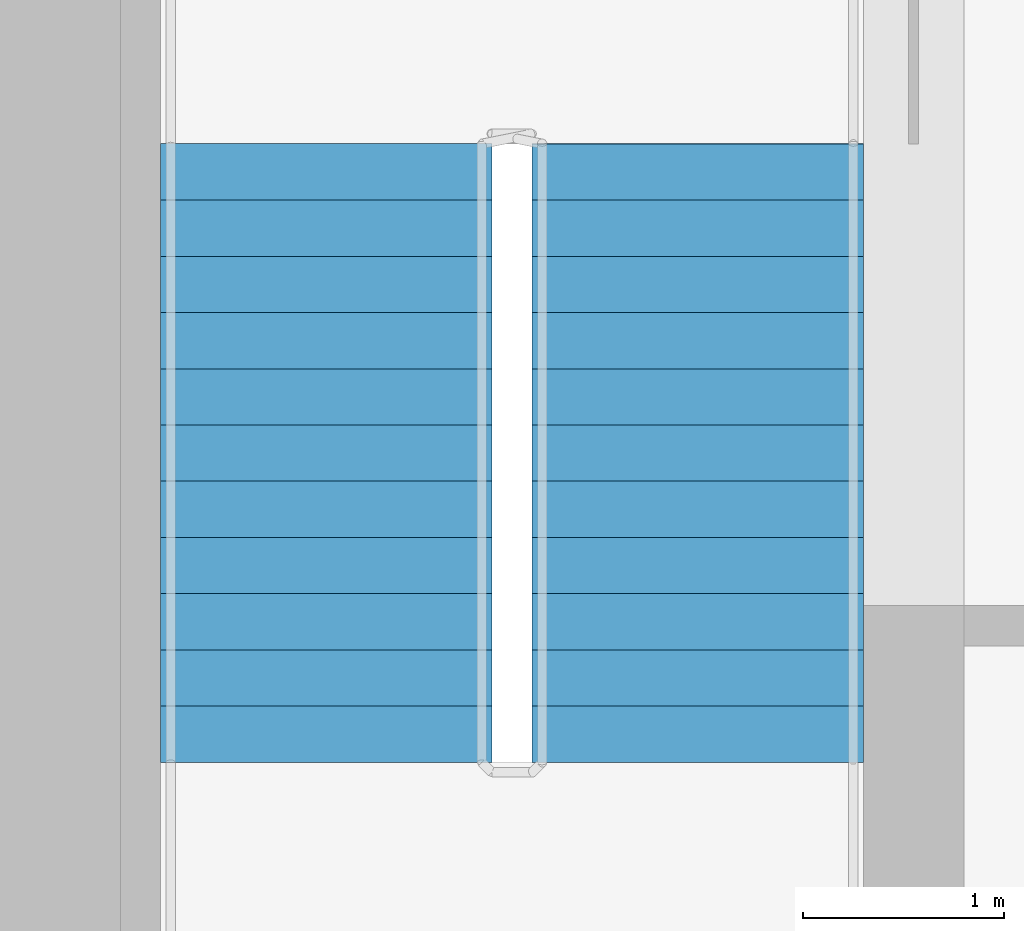
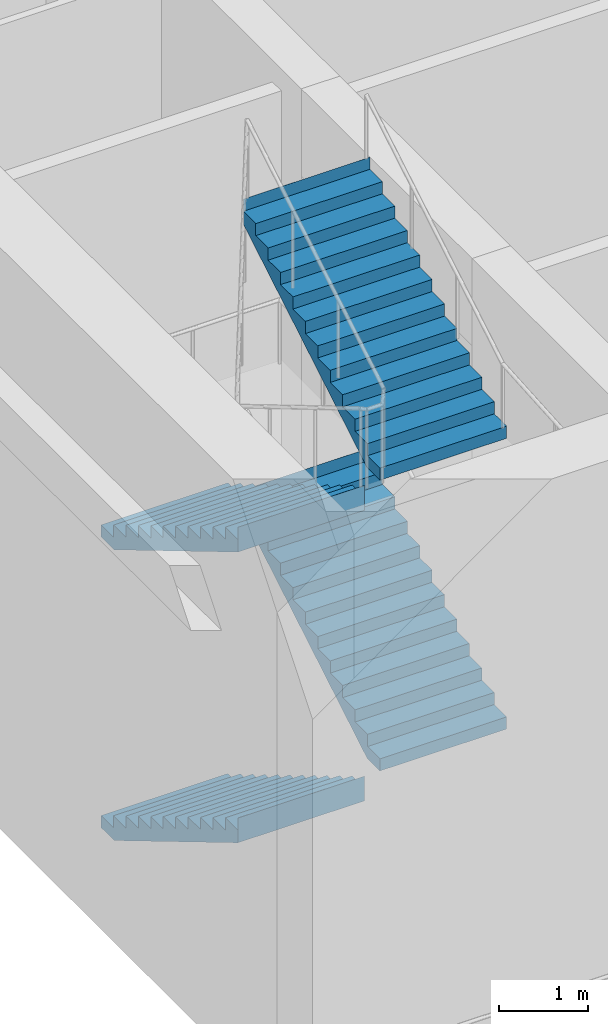
# One storey, part 5 of 12: 4 stair flights, 1 element without a shape of its own.
"""IFC4 building model written with IfcOpenShell, lengths in metres."""

from ifc_helpers import new_model, si_unit, direction, frame, origin, place, context, subcontext, project, spatial, polyline, outline, extrude, material, type_object, element, aggregate, save


model = new_model("IFC4")

# Units and contexts
model_context = context("Model", 3, precision=1e-05, world=origin(), true_north=direction((0.0, 1.0)))
body_context = subcontext(model_context, "Body", "Model", "MODEL_VIEW")
ifc_project = project(units=[si_unit("LENGTHUNIT", "METRE"), si_unit("AREAUNIT", "SQUARE_METRE"), si_unit("VOLUMEUNIT", "CUBIC_METRE"), si_unit("PLANEANGLEUNIT", "RADIAN"), si_unit("MASSUNIT", "GRAM", prefix="KILO")], contexts=[model_context])

# Site, building, storey
site_placement = place(None, origin())
site = spatial("IfcSite", under=ifc_project, at=site_placement, CompositionType="ELEMENT")
building_placement = place(site_placement, origin())
building = spatial("IfcBuilding", under=site, at=building_placement, Name="Tamorin Gate", CompositionType="ELEMENT")
storey_placement = place(building_placement, frame((0.0, 0.0, 166.199951171875)))
storey = spatial("IfcBuildingStorey", under=building, at=storey_placement, Name="L41", CompositionType="ELEMENT", Elevation=166.199951171875)

# Stair, stair flights
ifc_material = material(Name="Concrete C40/50", Category="concrete")
stair_type = type_object("IfcStairType", Name="Exit stair", PredefinedType="HALF_TURN_STAIR", material=ifc_material)
stair_placement = place(storey_placement, origin())
stair = element("IfcStair", 1, at=stair_placement, inside=storey, type_object=stair_type, Name="L41 stair ST1", PredefinedType="HALF_TURN_STAIR")
stair_flight_type = type_object("IfcStairFlightType", Name="Exit stair flight", PredefinedType="STRAIGHT", material=ifc_material)
stair_flight_1_placement = place(storey_placement, frame((31.824951171875, 66.5, 0.0), z_axis=(0.0, 0.0, 1.0), x_axis=(0.0, -1.0, 0.0)))
stair_flight_1 = element("IfcStairFlight", 2, at=stair_flight_1_placement, type_object=stair_flight_type, Name="ST1 flight 1", NumberOfRisers=12, NumberOfTreads=11, PredefinedType="STRAIGHT", RiserHeight=0.166666667, TreadLength=0.28, context=body_context, shape_type="SweptSolid", body=[
    extrude(outline(polyline([(-0.00048828125, 0.0), (-0.00048828125, 0.001708984375), (-0.00048828125, 0.00341796875), (-0.00048828125, 0.0048828125), (-0.00048828125, 0.006591796875), (-0.00048828125, 0.00830078125), (-0.00048828125, 0.010009765625), (-0.00048828125, 0.011474609375), (-0.00048828125, 0.01318359375), (-0.00048828125, 0.014892578125), (-0.00048828125, 0.0166015625), (-0.00048828125, 0.01806640625), (-0.00048828125, 0.019775390625), (-0.00048828125, 0.021484375), (-0.00048828125, 0.023193359375), (-0.00048828125, 0.024658203125), (-0.00048828125, 0.0263671875), (-0.00048828125, 0.028076171875), (-0.00048828125, 0.02978515625), (-0.00048828125, 0.03125), (-0.00048828125, 0.032958984375), (-0.00048828125, 0.03466796875), (-0.00048828125, 0.036376953125), (-0.00048828125, 0.037841796875), (-0.00048828125, 0.03955078125), (-0.00048828125, 0.041259765625), (-0.00048828125, 0.04296875), (-0.00048828125, 0.04443359375), (-0.00048828125, 0.046142578125), (-0.00048828125, 0.0478515625), (-0.00048828125, 0.049560546875), (-0.00048828125, 0.05126953125), (-0.00048828125, 0.052734375), (-0.00048828125, 0.054443359375), (-0.00048828125, 0.05615234375), (-0.00048828125, 0.057861328125), (-0.00048828125, 0.059326171875), (-0.00048828125, 0.06103515625), (-0.00048828125, 0.062744140625), (-0.00048828125, 0.064453125), (-0.00048828125, 0.06591796875), (-0.00048828125, 0.067626953125), (-0.00048828125, 0.0693359375), (-0.00048828125, 0.071044921875), (-0.00048828125, 0.072509765625), (-0.00048828125, 0.07421875), (-0.00048828125, 0.075927734375), (-0.00048828125, 0.07763671875), (-0.00048828125, 0.0791015625), (-0.00048828125, 0.080810546875), (-0.00048828125, 0.08251953125), (-0.00048828125, 0.084228515625), (-0.00048828125, 0.085693359375), (-0.00048828125, 0.08740234375), (-0.00048828125, 0.089111328125), (-0.00048828125, 0.0908203125), (-0.00048828125, 0.092529296875), (-0.00048828125, 0.093994140625), (-0.00048828125, 0.095703125), (-0.00048828125, 0.097412109375), (-0.00048828125, 0.09912109375), (-0.00048828125, 0.1005859375), (-0.00048828125, 0.102294921875), (-0.00048828125, 0.10400390625), (-0.00048828125, 0.105712890625), (-0.00048828125, 0.107177734375), (-0.00048828125, 0.10888671875), (-0.00048828125, 0.110595703125), (-0.00048828125, 0.1123046875), (-0.00048828125, 0.11376953125), (-0.00048828125, 0.115478515625), (-0.00048828125, 0.1171875), (-0.00048828125, 0.118896484375), (-0.00048828125, 0.120361328125), (-0.00048828125, 0.1220703125), (-0.00048828125, 0.123779296875), (-0.00048828125, 0.12548828125), (-0.00048828125, 0.126953125), (-0.00048828125, 0.128662109375), (-0.00048828125, 0.13037109375), (-0.00048828125, 0.132080078125), (-0.00048828125, 0.133544921875), (-0.00048828125, 0.13525390625), (-0.00048828125, 0.136962890625), (-0.00048828125, 0.138671875), (-0.00048828125, 0.140380859375), (-0.00048828125, 0.141845703125), (-0.00048828125, 0.1435546875), (-0.00048828125, 0.145263671875), (-0.00048828125, 0.14697265625), (-0.00048828125, 0.1484375), (-0.00048828125, 0.150146484375), (-0.00048828125, 0.15185546875), (-0.00048828125, 0.153564453125), (-0.00048828125, 0.155029296875), (-0.00048828125, 0.15673828125), (-0.00048828125, 0.158447265625), (-0.00048828125, 0.16015625), (-0.00048828125, 0.16162109375), (-0.00048828125, 0.163330078125), (-0.00048828125, 0.1650390625), (-0.00048828125, 0.166748046875), (0.280029296875, 0.166748046875), (0.280029296875, 0.333251953125), (0.56005859375, 0.333251953125), (0.56005859375, 0.5), (0.840087890625, 0.5), (0.840087890625, 0.666748046875), (1.1201171875, 0.666748046875), (1.1201171875, 0.833251953125), (1.39990234375, 0.833251953125), (1.39990234375, 1.0), (1.679931640625, 1.0), (1.679931640625, 1.166748046875), (1.9599609375, 1.166748046875), (1.9599609375, 1.333251953125), (2.239990234375, 1.333251953125), (2.239990234375, 1.5), (2.52001953125, 1.5), (2.52001953125, 1.666748046875), (2.800048828125, 1.666748046875), (2.800048828125, 1.833251953125), (3.080078125, 1.833251953125), (3.080078125, 2.0), (3.08056640625, 2.0), (3.08056640625, 1.99658203125), (3.08056640625, 1.9931640625), (3.08056640625, 1.98974609375), (3.08056640625, 1.986572265625), (3.08056640625, 1.983154296875), (3.08056640625, 1.979736328125), (3.08056640625, 1.976318359375), (3.08056640625, 1.972900390625), (3.08056640625, 1.969482421875), (3.08056640625, 1.96630859375), (3.08056640625, 1.962890625), (3.08056640625, 1.95947265625), (3.08056640625, 1.9560546875), (3.08056640625, 1.95263671875), (3.08056640625, 1.94921875), (3.08056640625, 1.946044921875), (3.08056640625, 1.942626953125), (3.08056640625, 1.939208984375), (3.08056640625, 1.935791015625), (3.08056640625, 1.932373046875), (3.08056640625, 1.928955078125), (3.08056640625, 1.92578125), (3.08056640625, 1.92236328125), (3.08056640625, 1.9189453125), (3.08056640625, 1.91552734375), (3.08056640625, 1.912109375), (3.08056640625, 1.90869140625), (3.08056640625, 1.905517578125), (3.08056640625, 1.902099609375), (3.08056640625, 1.898681640625), (3.08056640625, 1.895263671875), (3.08056640625, 1.891845703125), (3.08056640625, 1.888427734375), (3.08056640625, 1.88525390625), (3.08056640625, 1.8818359375), (3.08056640625, 1.87841796875), (3.08056640625, 1.875), (3.08056640625, 1.87158203125), (3.08056640625, 1.8681640625), (3.08056640625, 1.864990234375), (3.08056640625, 1.861572265625), (3.08056640625, 1.858154296875), (3.08056640625, 1.854736328125), (3.08056640625, 1.851318359375), (3.08056640625, 1.847900390625), (3.08056640625, 1.8447265625), (3.08056640625, 1.84130859375), (3.08056640625, 1.837890625), (3.08056640625, 1.83447265625), (3.08056640625, 1.8310546875), (3.08056640625, 1.82763671875), (3.08056640625, 1.824462890625), (3.08056640625, 1.821044921875), (3.08056640625, 1.817626953125), (3.08056640625, 1.814208984375), (3.08056640625, 1.810791015625), (3.08056640625, 1.807373046875), (3.08056640625, 1.80419921875), (3.08056640625, 1.80078125), (3.08056640625, 1.79736328125), (3.08056640625, 1.7939453125), (3.08056640625, 1.79052734375), (3.08056640625, 1.787109375), (3.08056640625, 1.783935546875), (3.08056640625, 1.780517578125), (3.08056640625, 1.777099609375), (3.08056640625, 1.773681640625), (3.08056640625, 1.770263671875), (3.08056640625, 1.766845703125), (3.08056640625, 1.763671875), (3.08056640625, 1.76025390625), (3.08056640625, 1.7568359375), (3.08056640625, 1.75341796875), (3.08056640625, 1.75), (3.08056640625, 1.74658203125), (3.08056640625, 1.743408203125), (3.08056640625, 1.739990234375), (3.08056640625, 1.736572265625), (3.08056640625, 1.733154296875), (3.08056640625, 1.729736328125), (3.08056640625, 1.726318359375), (3.08056640625, 1.72314453125), (3.08056640625, 1.7197265625), (3.08056640625, 1.71630859375), (3.08056640625, 1.712890625), (3.08056640625, 1.70947265625), (3.08056640625, 1.7060546875), (3.08056640625, 1.702880859375), (3.08056640625, 1.699462890625), (3.08056640625, 1.696044921875), (3.08056640625, 1.692626953125), (3.08056640625, 1.689208984375), (3.08056640625, 1.685791015625), (3.08056640625, 1.6826171875), (3.08056640625, 1.67919921875), (3.08056640625, 1.67578125), (3.08056640625, 1.67236328125), (3.08056640625, 1.6689453125), (3.08056640625, 1.66552734375), (3.08056640625, 1.662353515625), (3.08056640625, 1.658935546875), (3.080078125, 1.658935546875), (0.29296875, 0.0), (-0.00048828125, 0.0)])), frame((0.0, 0.824951171875, 0.0), z_axis=(0.0, -1.0, 0.0), x_axis=(1.0, 0.0, 0.0)), (0.0, 0.0, 1.0), 1.64990234375),
])
stair_flight_2_placement = place(storey_placement, frame((33.675048828125, 63.419921875, 2.0), z_axis=(0.0, 0.0, 1.0), x_axis=(0.0, 1.0, 0.0)))
stair_flight_2 = element("IfcStairFlight", 3, at=stair_flight_2_placement, type_object=stair_flight_type, Name="ST1 flight 2", NumberOfRisers=12, NumberOfTreads=11, PredefinedType="STRAIGHT", RiserHeight=0.166666667, TreadLength=0.28, context=body_context, shape_type="SweptSolid", body=[
    extrude(outline(polyline([(-0.00048828125, 0.0), (-0.00048828125, 0.001708984375), (-0.00048828125, 0.00341796875), (-0.00048828125, 0.0048828125), (-0.00048828125, 0.006591796875), (-0.00048828125, 0.00830078125), (-0.00048828125, 0.010009765625), (-0.00048828125, 0.011474609375), (-0.00048828125, 0.01318359375), (-0.00048828125, 0.014892578125), (-0.00048828125, 0.0166015625), (-0.00048828125, 0.01806640625), (-0.00048828125, 0.019775390625), (-0.00048828125, 0.021484375), (-0.00048828125, 0.023193359375), (-0.00048828125, 0.024658203125), (-0.00048828125, 0.0263671875), (-0.00048828125, 0.028076171875), (-0.00048828125, 0.02978515625), (-0.00048828125, 0.03125), (-0.00048828125, 0.032958984375), (-0.00048828125, 0.03466796875), (-0.00048828125, 0.036376953125), (-0.00048828125, 0.037841796875), (-0.00048828125, 0.03955078125), (-0.00048828125, 0.041259765625), (-0.00048828125, 0.04296875), (-0.00048828125, 0.04443359375), (-0.00048828125, 0.046142578125), (-0.00048828125, 0.0478515625), (-0.00048828125, 0.049560546875), (-0.00048828125, 0.05126953125), (-0.00048828125, 0.052734375), (-0.00048828125, 0.054443359375), (-0.00048828125, 0.05615234375), (-0.00048828125, 0.057861328125), (-0.00048828125, 0.059326171875), (-0.00048828125, 0.06103515625), (-0.00048828125, 0.062744140625), (-0.00048828125, 0.064453125), (-0.00048828125, 0.06591796875), (-0.00048828125, 0.067626953125), (-0.00048828125, 0.0693359375), (-0.00048828125, 0.071044921875), (-0.00048828125, 0.072509765625), (-0.00048828125, 0.07421875), (-0.00048828125, 0.075927734375), (-0.00048828125, 0.07763671875), (-0.00048828125, 0.0791015625), (-0.00048828125, 0.080810546875), (-0.00048828125, 0.08251953125), (-0.00048828125, 0.084228515625), (-0.00048828125, 0.085693359375), (-0.00048828125, 0.08740234375), (-0.00048828125, 0.089111328125), (-0.00048828125, 0.0908203125), (-0.00048828125, 0.092529296875), (-0.00048828125, 0.093994140625), (-0.00048828125, 0.095703125), (-0.00048828125, 0.097412109375), (-0.00048828125, 0.09912109375), (-0.00048828125, 0.1005859375), (-0.00048828125, 0.102294921875), (-0.00048828125, 0.10400390625), (-0.00048828125, 0.105712890625), (-0.00048828125, 0.107177734375), (-0.00048828125, 0.10888671875), (-0.00048828125, 0.110595703125), (-0.00048828125, 0.1123046875), (-0.00048828125, 0.11376953125), (-0.00048828125, 0.115478515625), (-0.00048828125, 0.1171875), (-0.00048828125, 0.118896484375), (-0.00048828125, 0.120361328125), (-0.00048828125, 0.1220703125), (-0.00048828125, 0.123779296875), (-0.00048828125, 0.12548828125), (-0.00048828125, 0.126953125), (-0.00048828125, 0.128662109375), (-0.00048828125, 0.13037109375), (-0.00048828125, 0.132080078125), (-0.00048828125, 0.133544921875), (-0.00048828125, 0.13525390625), (-0.00048828125, 0.136962890625), (-0.00048828125, 0.138671875), (-0.00048828125, 0.140380859375), (-0.00048828125, 0.141845703125), (-0.00048828125, 0.1435546875), (-0.00048828125, 0.145263671875), (-0.00048828125, 0.14697265625), (-0.00048828125, 0.1484375), (-0.00048828125, 0.150146484375), (-0.00048828125, 0.15185546875), (-0.00048828125, 0.153564453125), (-0.00048828125, 0.155029296875), (-0.00048828125, 0.15673828125), (-0.00048828125, 0.158447265625), (-0.00048828125, 0.16015625), (-0.00048828125, 0.16162109375), (-0.00048828125, 0.163330078125), (-0.00048828125, 0.1650390625), (-0.00048828125, 0.166748046875), (0.280029296875, 0.166748046875), (0.280029296875, 0.333251953125), (0.56005859375, 0.333251953125), (0.56005859375, 0.5), (0.840087890625, 0.5), (0.840087890625, 0.666748046875), (1.1201171875, 0.666748046875), (1.1201171875, 0.833251953125), (1.39990234375, 0.833251953125), (1.39990234375, 1.0), (1.679931640625, 1.0), (1.679931640625, 1.166748046875), (1.9599609375, 1.166748046875), (1.9599609375, 1.333251953125), (2.239990234375, 1.333251953125), (2.239990234375, 1.5), (2.52001953125, 1.5), (2.52001953125, 1.666748046875), (2.800048828125, 1.666748046875), (2.800048828125, 1.833251953125), (3.080078125, 1.833251953125), (3.080078125, 2.0), (3.08056640625, 2.0), (3.08056640625, 1.99658203125), (3.08056640625, 1.9931640625), (3.08056640625, 1.98974609375), (3.08056640625, 1.986572265625), (3.08056640625, 1.983154296875), (3.08056640625, 1.979736328125), (3.08056640625, 1.976318359375), (3.08056640625, 1.972900390625), (3.08056640625, 1.969482421875), (3.08056640625, 1.96630859375), (3.08056640625, 1.962890625), (3.08056640625, 1.95947265625), (3.08056640625, 1.9560546875), (3.08056640625, 1.95263671875), (3.08056640625, 1.94921875), (3.08056640625, 1.946044921875), (3.08056640625, 1.942626953125), (3.08056640625, 1.939208984375), (3.08056640625, 1.935791015625), (3.08056640625, 1.932373046875), (3.08056640625, 1.928955078125), (3.08056640625, 1.92578125), (3.08056640625, 1.92236328125), (3.08056640625, 1.9189453125), (3.08056640625, 1.91552734375), (3.08056640625, 1.912109375), (3.08056640625, 1.90869140625), (3.08056640625, 1.905517578125), (3.08056640625, 1.902099609375), (3.08056640625, 1.898681640625), (3.08056640625, 1.895263671875), (3.08056640625, 1.891845703125), (3.08056640625, 1.888427734375), (3.08056640625, 1.88525390625), (3.08056640625, 1.8818359375), (3.08056640625, 1.87841796875), (3.08056640625, 1.875), (3.08056640625, 1.87158203125), (3.08056640625, 1.8681640625), (3.08056640625, 1.864990234375), (3.08056640625, 1.861572265625), (3.08056640625, 1.858154296875), (3.08056640625, 1.854736328125), (3.08056640625, 1.851318359375), (3.08056640625, 1.847900390625), (3.08056640625, 1.8447265625), (3.08056640625, 1.84130859375), (3.08056640625, 1.837890625), (3.08056640625, 1.83447265625), (3.08056640625, 1.8310546875), (3.08056640625, 1.82763671875), (3.08056640625, 1.824462890625), (3.08056640625, 1.821044921875), (3.08056640625, 1.817626953125), (3.08056640625, 1.814208984375), (3.08056640625, 1.810791015625), (3.08056640625, 1.807373046875), (3.08056640625, 1.80419921875), (3.08056640625, 1.80078125), (3.08056640625, 1.79736328125), (3.08056640625, 1.7939453125), (3.08056640625, 1.79052734375), (3.08056640625, 1.787109375), (3.08056640625, 1.783935546875), (3.08056640625, 1.780517578125), (3.08056640625, 1.777099609375), (3.08056640625, 1.773681640625), (3.08056640625, 1.770263671875), (3.08056640625, 1.766845703125), (3.08056640625, 1.763671875), (3.08056640625, 1.76025390625), (3.08056640625, 1.7568359375), (3.08056640625, 1.75341796875), (3.08056640625, 1.75), (3.08056640625, 1.74658203125), (3.08056640625, 1.743408203125), (3.08056640625, 1.739990234375), (3.08056640625, 1.736572265625), (3.08056640625, 1.733154296875), (3.08056640625, 1.729736328125), (3.08056640625, 1.726318359375), (3.08056640625, 1.72314453125), (3.08056640625, 1.7197265625), (3.08056640625, 1.71630859375), (3.08056640625, 1.712890625), (3.08056640625, 1.70947265625), (3.08056640625, 1.7060546875), (3.08056640625, 1.702880859375), (3.08056640625, 1.699462890625), (3.08056640625, 1.696044921875), (3.08056640625, 1.692626953125), (3.08056640625, 1.689208984375), (3.08056640625, 1.685791015625), (3.08056640625, 1.6826171875), (3.08056640625, 1.67919921875), (3.08056640625, 1.67578125), (3.08056640625, 1.67236328125), (3.08056640625, 1.6689453125), (3.08056640625, 1.66552734375), (3.08056640625, 1.662353515625), (3.08056640625, 1.658935546875), (3.080078125, 1.658935546875), (0.29296875, 0.0), (-0.00048828125, 0.0)])), frame((0.0, 0.824951171875, 0.0), z_axis=(0.0, -1.0, 0.0), x_axis=(1.0, 0.0, 0.0)), (0.0, 0.0, 1.0), 1.64990234375),
])
stair_flight_3_placement = place(storey_placement, frame((31.824951171875, 66.5, 4.0), z_axis=(0.0, 0.0, 1.0), x_axis=(0.0, -1.0, 0.0)))
stair_flight_3 = element("IfcStairFlight", 4, at=stair_flight_3_placement, type_object=stair_flight_type, Name="ST1 flight 3", NumberOfRisers=12, NumberOfTreads=11, PredefinedType="STRAIGHT", RiserHeight=0.166666667, TreadLength=0.28, context=body_context, shape_type="SweptSolid", body=[
    extrude(outline(polyline([(-0.00048828125, 0.0), (-0.00048828125, 0.001708984375), (-0.00048828125, 0.00341796875), (-0.00048828125, 0.0048828125), (-0.00048828125, 0.006591796875), (-0.00048828125, 0.00830078125), (-0.00048828125, 0.010009765625), (-0.00048828125, 0.011474609375), (-0.00048828125, 0.01318359375), (-0.00048828125, 0.014892578125), (-0.00048828125, 0.0166015625), (-0.00048828125, 0.01806640625), (-0.00048828125, 0.019775390625), (-0.00048828125, 0.021484375), (-0.00048828125, 0.023193359375), (-0.00048828125, 0.024658203125), (-0.00048828125, 0.0263671875), (-0.00048828125, 0.028076171875), (-0.00048828125, 0.02978515625), (-0.00048828125, 0.03125), (-0.00048828125, 0.032958984375), (-0.00048828125, 0.03466796875), (-0.00048828125, 0.036376953125), (-0.00048828125, 0.037841796875), (-0.00048828125, 0.03955078125), (-0.00048828125, 0.041259765625), (-0.00048828125, 0.04296875), (-0.00048828125, 0.04443359375), (-0.00048828125, 0.046142578125), (-0.00048828125, 0.0478515625), (-0.00048828125, 0.049560546875), (-0.00048828125, 0.05126953125), (-0.00048828125, 0.052734375), (-0.00048828125, 0.054443359375), (-0.00048828125, 0.05615234375), (-0.00048828125, 0.057861328125), (-0.00048828125, 0.059326171875), (-0.00048828125, 0.06103515625), (-0.00048828125, 0.062744140625), (-0.00048828125, 0.064453125), (-0.00048828125, 0.06591796875), (-0.00048828125, 0.067626953125), (-0.00048828125, 0.0693359375), (-0.00048828125, 0.071044921875), (-0.00048828125, 0.072509765625), (-0.00048828125, 0.07421875), (-0.00048828125, 0.075927734375), (-0.00048828125, 0.07763671875), (-0.00048828125, 0.0791015625), (-0.00048828125, 0.080810546875), (-0.00048828125, 0.08251953125), (-0.00048828125, 0.084228515625), (-0.00048828125, 0.085693359375), (-0.00048828125, 0.08740234375), (-0.00048828125, 0.089111328125), (-0.00048828125, 0.0908203125), (-0.00048828125, 0.092529296875), (-0.00048828125, 0.093994140625), (-0.00048828125, 0.095703125), (-0.00048828125, 0.097412109375), (-0.00048828125, 0.09912109375), (-0.00048828125, 0.1005859375), (-0.00048828125, 0.102294921875), (-0.00048828125, 0.10400390625), (-0.00048828125, 0.105712890625), (-0.00048828125, 0.107177734375), (-0.00048828125, 0.10888671875), (-0.00048828125, 0.110595703125), (-0.00048828125, 0.1123046875), (-0.00048828125, 0.11376953125), (-0.00048828125, 0.115478515625), (-0.00048828125, 0.1171875), (-0.00048828125, 0.118896484375), (-0.00048828125, 0.120361328125), (-0.00048828125, 0.1220703125), (-0.00048828125, 0.123779296875), (-0.00048828125, 0.12548828125), (-0.00048828125, 0.126953125), (-0.00048828125, 0.128662109375), (-0.00048828125, 0.13037109375), (-0.00048828125, 0.132080078125), (-0.00048828125, 0.133544921875), (-0.00048828125, 0.13525390625), (-0.00048828125, 0.136962890625), (-0.00048828125, 0.138671875), (-0.00048828125, 0.140380859375), (-0.00048828125, 0.141845703125), (-0.00048828125, 0.1435546875), (-0.00048828125, 0.145263671875), (-0.00048828125, 0.14697265625), (-0.00048828125, 0.1484375), (-0.00048828125, 0.150146484375), (-0.00048828125, 0.15185546875), (-0.00048828125, 0.153564453125), (-0.00048828125, 0.155029296875), (-0.00048828125, 0.15673828125), (-0.00048828125, 0.158447265625), (-0.00048828125, 0.16015625), (-0.00048828125, 0.16162109375), (-0.00048828125, 0.163330078125), (-0.00048828125, 0.1650390625), (-0.00048828125, 0.166748046875), (0.280029296875, 0.166748046875), (0.280029296875, 0.333251953125), (0.56005859375, 0.333251953125), (0.56005859375, 0.5), (0.840087890625, 0.5), (0.840087890625, 0.666748046875), (1.1201171875, 0.666748046875), (1.1201171875, 0.833251953125), (1.39990234375, 0.833251953125), (1.39990234375, 1.0), (1.679931640625, 1.0), (1.679931640625, 1.166748046875), (1.9599609375, 1.166748046875), (1.9599609375, 1.333251953125), (2.239990234375, 1.333251953125), (2.239990234375, 1.5), (2.52001953125, 1.5), (2.52001953125, 1.666748046875), (2.800048828125, 1.666748046875), (2.800048828125, 1.833251953125), (3.080078125, 1.833251953125), (3.080078125, 2.0), (3.08056640625, 2.0), (3.08056640625, 1.99658203125), (3.08056640625, 1.9931640625), (3.08056640625, 1.98974609375), (3.08056640625, 1.986572265625), (3.08056640625, 1.983154296875), (3.08056640625, 1.979736328125), (3.08056640625, 1.976318359375), (3.08056640625, 1.972900390625), (3.08056640625, 1.969482421875), (3.08056640625, 1.96630859375), (3.08056640625, 1.962890625), (3.08056640625, 1.95947265625), (3.08056640625, 1.9560546875), (3.08056640625, 1.95263671875), (3.08056640625, 1.94921875), (3.08056640625, 1.946044921875), (3.08056640625, 1.942626953125), (3.08056640625, 1.939208984375), (3.08056640625, 1.935791015625), (3.08056640625, 1.932373046875), (3.08056640625, 1.928955078125), (3.08056640625, 1.92578125), (3.08056640625, 1.92236328125), (3.08056640625, 1.9189453125), (3.08056640625, 1.91552734375), (3.08056640625, 1.912109375), (3.08056640625, 1.90869140625), (3.08056640625, 1.905517578125), (3.08056640625, 1.902099609375), (3.08056640625, 1.898681640625), (3.08056640625, 1.895263671875), (3.08056640625, 1.891845703125), (3.08056640625, 1.888427734375), (3.08056640625, 1.88525390625), (3.08056640625, 1.8818359375), (3.08056640625, 1.87841796875), (3.08056640625, 1.875), (3.08056640625, 1.87158203125), (3.08056640625, 1.8681640625), (3.08056640625, 1.864990234375), (3.08056640625, 1.861572265625), (3.08056640625, 1.858154296875), (3.08056640625, 1.854736328125), (3.08056640625, 1.851318359375), (3.08056640625, 1.847900390625), (3.08056640625, 1.8447265625), (3.08056640625, 1.84130859375), (3.08056640625, 1.837890625), (3.08056640625, 1.83447265625), (3.08056640625, 1.8310546875), (3.08056640625, 1.82763671875), (3.08056640625, 1.824462890625), (3.08056640625, 1.821044921875), (3.08056640625, 1.817626953125), (3.08056640625, 1.814208984375), (3.08056640625, 1.810791015625), (3.08056640625, 1.807373046875), (3.08056640625, 1.80419921875), (3.08056640625, 1.80078125), (3.08056640625, 1.79736328125), (3.08056640625, 1.7939453125), (3.08056640625, 1.79052734375), (3.08056640625, 1.787109375), (3.08056640625, 1.783935546875), (3.08056640625, 1.780517578125), (3.08056640625, 1.777099609375), (3.08056640625, 1.773681640625), (3.08056640625, 1.770263671875), (3.08056640625, 1.766845703125), (3.08056640625, 1.763671875), (3.08056640625, 1.76025390625), (3.08056640625, 1.7568359375), (3.08056640625, 1.75341796875), (3.08056640625, 1.75), (3.08056640625, 1.74658203125), (3.08056640625, 1.743408203125), (3.08056640625, 1.739990234375), (3.08056640625, 1.736572265625), (3.08056640625, 1.733154296875), (3.08056640625, 1.729736328125), (3.08056640625, 1.726318359375), (3.08056640625, 1.72314453125), (3.08056640625, 1.7197265625), (3.08056640625, 1.71630859375), (3.08056640625, 1.712890625), (3.08056640625, 1.70947265625), (3.08056640625, 1.7060546875), (3.08056640625, 1.702880859375), (3.08056640625, 1.699462890625), (3.08056640625, 1.696044921875), (3.08056640625, 1.692626953125), (3.08056640625, 1.689208984375), (3.08056640625, 1.685791015625), (3.08056640625, 1.6826171875), (3.08056640625, 1.67919921875), (3.08056640625, 1.67578125), (3.08056640625, 1.67236328125), (3.08056640625, 1.6689453125), (3.08056640625, 1.66552734375), (3.08056640625, 1.662353515625), (3.08056640625, 1.658935546875), (3.080078125, 1.658935546875), (0.29296875, 0.0), (-0.00048828125, 0.0)])), frame((0.0, 0.824951171875, 0.0), z_axis=(0.0, -1.0, 0.0), x_axis=(1.0, 0.0, 0.0)), (0.0, 0.0, 1.0), 1.64990234375),
])
stair_flight_4_placement = place(storey_placement, frame((33.675048828125, 63.419921875, 6.0), z_axis=(0.0, 0.0, 1.0), x_axis=(0.0, 1.0, 0.0)))
stair_flight_4 = element("IfcStairFlight", 5, at=stair_flight_4_placement, type_object=stair_flight_type, Name="ST1 flight 4", NumberOfRisers=12, NumberOfTreads=11, PredefinedType="STRAIGHT", RiserHeight=0.166666667, TreadLength=0.28, context=body_context, shape_type="SweptSolid", body=[
    extrude(outline(polyline([(-0.00048828125, 0.0), (-0.00048828125, 0.001708984375), (-0.00048828125, 0.00341796875), (-0.00048828125, 0.0048828125), (-0.00048828125, 0.006591796875), (-0.00048828125, 0.00830078125), (-0.00048828125, 0.010009765625), (-0.00048828125, 0.011474609375), (-0.00048828125, 0.01318359375), (-0.00048828125, 0.014892578125), (-0.00048828125, 0.0166015625), (-0.00048828125, 0.01806640625), (-0.00048828125, 0.019775390625), (-0.00048828125, 0.021484375), (-0.00048828125, 0.023193359375), (-0.00048828125, 0.024658203125), (-0.00048828125, 0.0263671875), (-0.00048828125, 0.028076171875), (-0.00048828125, 0.02978515625), (-0.00048828125, 0.03125), (-0.00048828125, 0.032958984375), (-0.00048828125, 0.03466796875), (-0.00048828125, 0.036376953125), (-0.00048828125, 0.037841796875), (-0.00048828125, 0.03955078125), (-0.00048828125, 0.041259765625), (-0.00048828125, 0.04296875), (-0.00048828125, 0.04443359375), (-0.00048828125, 0.046142578125), (-0.00048828125, 0.0478515625), (-0.00048828125, 0.049560546875), (-0.00048828125, 0.05126953125), (-0.00048828125, 0.052734375), (-0.00048828125, 0.054443359375), (-0.00048828125, 0.05615234375), (-0.00048828125, 0.057861328125), (-0.00048828125, 0.059326171875), (-0.00048828125, 0.06103515625), (-0.00048828125, 0.062744140625), (-0.00048828125, 0.064453125), (-0.00048828125, 0.06591796875), (-0.00048828125, 0.067626953125), (-0.00048828125, 0.0693359375), (-0.00048828125, 0.071044921875), (-0.00048828125, 0.072509765625), (-0.00048828125, 0.07421875), (-0.00048828125, 0.075927734375), (-0.00048828125, 0.07763671875), (-0.00048828125, 0.0791015625), (-0.00048828125, 0.080810546875), (-0.00048828125, 0.08251953125), (-0.00048828125, 0.084228515625), (-0.00048828125, 0.085693359375), (-0.00048828125, 0.08740234375), (-0.00048828125, 0.089111328125), (-0.00048828125, 0.0908203125), (-0.00048828125, 0.092529296875), (-0.00048828125, 0.093994140625), (-0.00048828125, 0.095703125), (-0.00048828125, 0.097412109375), (-0.00048828125, 0.09912109375), (-0.00048828125, 0.1005859375), (-0.00048828125, 0.102294921875), (-0.00048828125, 0.10400390625), (-0.00048828125, 0.105712890625), (-0.00048828125, 0.107177734375), (-0.00048828125, 0.10888671875), (-0.00048828125, 0.110595703125), (-0.00048828125, 0.1123046875), (-0.00048828125, 0.11376953125), (-0.00048828125, 0.115478515625), (-0.00048828125, 0.1171875), (-0.00048828125, 0.118896484375), (-0.00048828125, 0.120361328125), (-0.00048828125, 0.1220703125), (-0.00048828125, 0.123779296875), (-0.00048828125, 0.12548828125), (-0.00048828125, 0.126953125), (-0.00048828125, 0.128662109375), (-0.00048828125, 0.13037109375), (-0.00048828125, 0.132080078125), (-0.00048828125, 0.133544921875), (-0.00048828125, 0.13525390625), (-0.00048828125, 0.136962890625), (-0.00048828125, 0.138671875), (-0.00048828125, 0.140380859375), (-0.00048828125, 0.141845703125), (-0.00048828125, 0.1435546875), (-0.00048828125, 0.145263671875), (-0.00048828125, 0.14697265625), (-0.00048828125, 0.1484375), (-0.00048828125, 0.150146484375), (-0.00048828125, 0.15185546875), (-0.00048828125, 0.153564453125), (-0.00048828125, 0.155029296875), (-0.00048828125, 0.15673828125), (-0.00048828125, 0.158447265625), (-0.00048828125, 0.16015625), (-0.00048828125, 0.16162109375), (-0.00048828125, 0.163330078125), (-0.00048828125, 0.1650390625), (-0.00048828125, 0.166748046875), (0.280029296875, 0.166748046875), (0.280029296875, 0.333251953125), (0.56005859375, 0.333251953125), (0.56005859375, 0.5), (0.840087890625, 0.5), (0.840087890625, 0.666748046875), (1.1201171875, 0.666748046875), (1.1201171875, 0.833251953125), (1.39990234375, 0.833251953125), (1.39990234375, 1.0), (1.679931640625, 1.0), (1.679931640625, 1.166748046875), (1.9599609375, 1.166748046875), (1.9599609375, 1.333251953125), (2.239990234375, 1.333251953125), (2.239990234375, 1.5), (2.52001953125, 1.5), (2.52001953125, 1.666748046875), (2.800048828125, 1.666748046875), (2.800048828125, 1.833251953125), (3.080078125, 1.833251953125), (3.080078125, 2.0), (3.08056640625, 2.0), (3.08056640625, 1.99658203125), (3.08056640625, 1.9931640625), (3.08056640625, 1.98974609375), (3.08056640625, 1.986572265625), (3.08056640625, 1.983154296875), (3.08056640625, 1.979736328125), (3.08056640625, 1.976318359375), (3.08056640625, 1.972900390625), (3.08056640625, 1.969482421875), (3.08056640625, 1.96630859375), (3.08056640625, 1.962890625), (3.08056640625, 1.95947265625), (3.08056640625, 1.9560546875), (3.08056640625, 1.95263671875), (3.08056640625, 1.94921875), (3.08056640625, 1.946044921875), (3.08056640625, 1.942626953125), (3.08056640625, 1.939208984375), (3.08056640625, 1.935791015625), (3.08056640625, 1.932373046875), (3.08056640625, 1.928955078125), (3.08056640625, 1.92578125), (3.08056640625, 1.92236328125), (3.08056640625, 1.9189453125), (3.08056640625, 1.91552734375), (3.08056640625, 1.912109375), (3.08056640625, 1.90869140625), (3.08056640625, 1.905517578125), (3.08056640625, 1.902099609375), (3.08056640625, 1.898681640625), (3.08056640625, 1.895263671875), (3.08056640625, 1.891845703125), (3.08056640625, 1.888427734375), (3.08056640625, 1.88525390625), (3.08056640625, 1.8818359375), (3.08056640625, 1.87841796875), (3.08056640625, 1.875), (3.08056640625, 1.87158203125), (3.08056640625, 1.8681640625), (3.08056640625, 1.864990234375), (3.08056640625, 1.861572265625), (3.08056640625, 1.858154296875), (3.08056640625, 1.854736328125), (3.08056640625, 1.851318359375), (3.08056640625, 1.847900390625), (3.08056640625, 1.8447265625), (3.08056640625, 1.84130859375), (3.08056640625, 1.837890625), (3.08056640625, 1.83447265625), (3.08056640625, 1.8310546875), (3.08056640625, 1.82763671875), (3.08056640625, 1.824462890625), (3.08056640625, 1.821044921875), (3.08056640625, 1.817626953125), (3.08056640625, 1.814208984375), (3.08056640625, 1.810791015625), (3.08056640625, 1.807373046875), (3.08056640625, 1.80419921875), (3.08056640625, 1.80078125), (3.08056640625, 1.79736328125), (3.08056640625, 1.7939453125), (3.08056640625, 1.79052734375), (3.08056640625, 1.787109375), (3.08056640625, 1.783935546875), (3.08056640625, 1.780517578125), (3.08056640625, 1.777099609375), (3.08056640625, 1.773681640625), (3.08056640625, 1.770263671875), (3.08056640625, 1.766845703125), (3.08056640625, 1.763671875), (3.08056640625, 1.76025390625), (3.08056640625, 1.7568359375), (3.08056640625, 1.75341796875), (3.08056640625, 1.75), (3.08056640625, 1.74658203125), (3.08056640625, 1.743408203125), (3.08056640625, 1.739990234375), (3.08056640625, 1.736572265625), (3.08056640625, 1.733154296875), (3.08056640625, 1.729736328125), (3.08056640625, 1.726318359375), (3.08056640625, 1.72314453125), (3.08056640625, 1.7197265625), (3.08056640625, 1.71630859375), (3.08056640625, 1.712890625), (3.08056640625, 1.70947265625), (3.08056640625, 1.7060546875), (3.08056640625, 1.702880859375), (3.08056640625, 1.699462890625), (3.08056640625, 1.696044921875), (3.08056640625, 1.692626953125), (3.08056640625, 1.689208984375), (3.08056640625, 1.685791015625), (3.08056640625, 1.6826171875), (3.08056640625, 1.67919921875), (3.08056640625, 1.67578125), (3.08056640625, 1.67236328125), (3.08056640625, 1.6689453125), (3.08056640625, 1.66552734375), (3.08056640625, 1.662353515625), (3.08056640625, 1.658935546875), (3.080078125, 1.658935546875), (0.29296875, 0.0), (-0.00048828125, 0.0)])), frame((0.0, 0.824951171875, 0.0), z_axis=(0.0, -1.0, 0.0), x_axis=(1.0, 0.0, 0.0)), (0.0, 0.0, 1.0), 1.64990234375),
])
aggregate(stair, [stair_flight_1, stair_flight_2, stair_flight_3, stair_flight_4])

save(model, "model.ifc")
